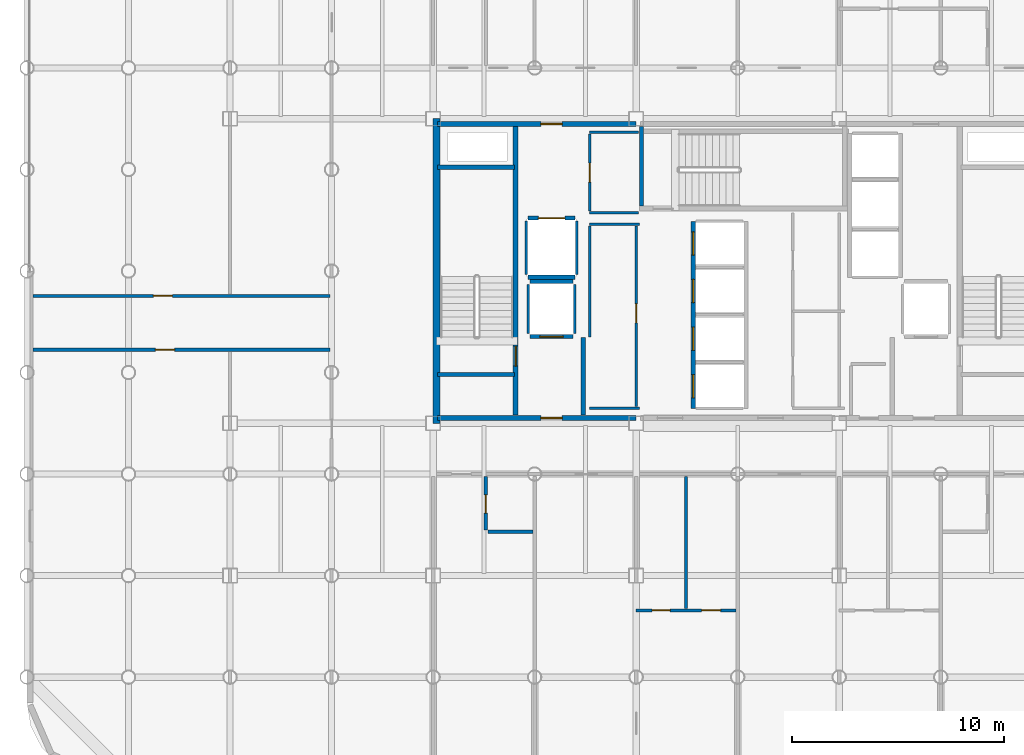
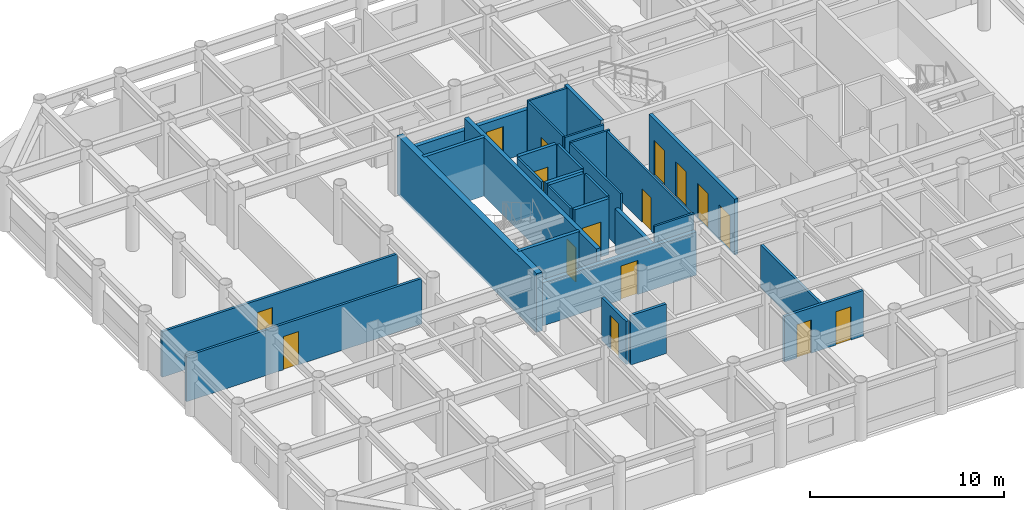
# One storey, part 16 of 20: 30 walls, 16 doors, 16 openings.
"""IFC4 building model written with IfcOpenShell, lengths in metres."""

from ifc_helpers import new_model, si_unit, direction, frame, frame_2d, origin, place, context, subcontext, project, spatial, rectangle, extrude, material, layer, layer_set, type_object, element, fill, save


model = new_model("IFC4")

# Units and contexts
model_context = context("Model", 3, precision=1e-05, world=origin(), true_north=direction((0.0, 1.0)))
body_context = subcontext(model_context, "Body", "Model", "MODEL_VIEW")
ifc_project = project(units=[si_unit("LENGTHUNIT", "METRE"), si_unit("AREAUNIT", "SQUARE_METRE"), si_unit("VOLUMEUNIT", "CUBIC_METRE"), si_unit("PLANEANGLEUNIT", "RADIAN"), si_unit("MASSUNIT", "GRAM", prefix="KILO")], contexts=[model_context])

# Site, building, storey
site_placement = place(None, origin())
site = spatial("IfcSite", under=ifc_project, at=site_placement, CompositionType="ELEMENT")
building_placement = place(site_placement, origin())
building = spatial("IfcBuilding", under=site, at=building_placement, Name="Kallvorn Hotel Tower", CompositionType="ELEMENT")
storey_placement = place(building_placement, frame((0.0, 0.0, 158.10009765625)))
storey = spatial("IfcBuildingStorey", under=building, at=storey_placement, Name="L39", CompositionType="ELEMENT", Elevation=158.10009765625)

# Wall
ifc_material_1 = material(Name="Concrete C50/60", Category="concrete")
ifc_layer_1 = layer(ifc_material_1, 0.35009765625)
ifc_layer_set_1 = layer_set([ifc_layer_1], Name="WL_CORE_350")
wall_type_1 = type_object("IfcWallType", Name="WL_CORE_350", PredefinedType="SHEAR", material=ifc_layer_set_1)
wall_1_placement = place(storey_placement, frame((-14.239990234375, -7.199951171875, -0.18017578125), z_axis=(0.0, 0.0, 1.0), x_axis=(0.0, 1.0, 0.0)))
element("IfcWall", 1, at=wall_1_placement, inside=storey, type_object=wall_type_1, Name="L39 Core West Shear Wall", PredefinedType="SHEAR", context=body_context, shape_type="SweptSolid", body=[
    extrude(rectangle(XDim=14.39990234375, YDim=0.35009765625, at=frame_2d((7.199951171875, 0.0))), origin(), (0.0, 0.0, 1.0), 3.7001953125),
])

# Wall, openings, doors
ifc_material_2 = material(Name="Fire-rated double-layer acoustic gypsum drywall EI 60")
ifc_layer_2 = layer(ifc_material_2, 0.159912109375)
ifc_layer_set_2 = layer_set([ifc_layer_2], Name="WL_DEMISE_160")
wall_type_2 = type_object("IfcWallType", Name="WL_DEMISE_160", PredefinedType="PARTITIONING", material=ifc_layer_set_2)
wall_2_placement = place(storey_placement, frame((-4.800048828125, -16.050048828125, 0.0), z_axis=(0.0, 0.0, 1.0), x_axis=(1.0, 0.0, 0.0)))
wall_2 = element("IfcWall", 2, at=wall_2_placement, inside=storey, type_object=wall_type_2, Name="L39 Suite 3902 Executive Bedroom Partition", PredefinedType="PARTITIONING", context=body_context, shape_type="SweptSolid", body=[
    extrude(rectangle(XDim=4.719970703125, YDim=0.159912109375, at=frame_2d((2.35986328125, 0.0))), origin(), (0.0, 0.0, 1.0), 2.869873046875),
])
opening_1_placement = place(wall_2_placement, frame((0.75, 0.0, 0.0)))
opening_1 = element("IfcOpeningElement", 3, at=opening_1_placement, cuts=wall_2, Name="Opening BD-I", PredefinedType="OPENING", context=body_context, shape_type="SweptSolid", body=[
    extrude(rectangle(XDim=0.860107421875, YDim=2.10009765625, at=frame_2d((0.43017578125, 1.050048828125))), frame((0.0, 0.094970703125, 0.0), z_axis=(0.0, -1.0, 0.0), x_axis=(1.0, 0.0, 0.0)), (0.0, 0.0, 1.0), 0.18994140625),
])
opening_2_placement = place(wall_2_placement, frame((3.090087890625, 0.0, 0.0)))
opening_2 = element("IfcOpeningElement", 4, at=opening_2_placement, cuts=wall_2, Name="Opening SVD1", PredefinedType="OPENING", context=body_context, shape_type="SweptSolid", body=[
    extrude(rectangle(XDim=0.89990234375, YDim=2.10009765625, at=frame_2d((0.449951171875, 1.050048828125))), frame((0.0, 0.094970703125, 0.0), z_axis=(0.0, -1.0, 0.0), x_axis=(1.0, 0.0, 0.0)), (0.0, 0.0, 1.0), 0.18994140625),
])
ifc_material_3 = material(Name="Solid-core walnut veneer fire-rated timber door leaf", Category="wood")
door_type_1 = type_object("IfcDoorType", Name="DR_BATH_860x2100", OperationType="NOTDEFINED", PredefinedType="DOOR", material=ifc_material_3)
door_1_placement = place(opening_1_placement, origin())
door_1 = element("IfcDoor", 5, at=door_1_placement, inside=storey, type_object=door_type_1, Name="L39 Suite 3902 En-Suite Bathroom Door", OperationType="SINGLE_SWING_LEFT", OverallHeight=2.10009765625, OverallWidth=0.860107421875, PredefinedType="DOOR", context=body_context, shape_type="SweptSolid", body=[
    extrude(rectangle(XDim=0.860107421875, YDim=2.10009765625, at=frame_2d((0.43017578125, 1.050048828125))), frame((0.0, 0.02490234375, 0.0), z_axis=(0.0, -1.0, 0.0), x_axis=(1.0, 0.0, 0.0)), (0.0, 0.0, 1.0), 0.050048828125),
])
fill(opening_1, door_1)
ifc_material_4 = material(Name="Galvanised painted steel fire-rated door assembly", Category="steel")
door_type_2 = type_object("IfcDoorType", Name="DR_SERV_900x2100", OperationType="NOTDEFINED", PredefinedType="DOOR", material=ifc_material_4)
door_2_placement = place(opening_2_placement, origin())
door_2 = element("IfcDoor", 6, at=door_2_placement, inside=storey, type_object=door_type_2, Name="L39 Suite 3902 Walk-In Dressing Closet Door", OperationType="SINGLE_SWING_LEFT", OverallHeight=2.10009765625, OverallWidth=0.89990234375, PredefinedType="DOOR", context=body_context, shape_type="SweptSolid", body=[
    extrude(rectangle(XDim=0.89990234375, YDim=2.10009765625, at=frame_2d((0.449951171875, 1.050048828125))), frame((0.0, 0.02490234375, 0.0), z_axis=(0.0, -1.0, 0.0), x_axis=(1.0, 0.0, 0.0)), (0.0, 0.0, 1.0), 0.050048828125),
])
fill(opening_2, door_2)

# Wall
wall_3_placement = place(storey_placement, frame((-11.81005859375, -12.320068359375, 0.0), z_axis=(0.0, 0.0, 1.0), x_axis=(1.0, 0.0, 0.0)))
element("IfcWall", 7, at=wall_3_placement, inside=storey, type_object=wall_type_2, Name="L39 Suite 3901 Superior Twin Room Partition", PredefinedType="PARTITIONING", context=body_context, shape_type="SweptSolid", body=[
    extrude(rectangle(XDim=2.130126953125, YDim=0.159912109375, at=frame_2d((1.06494140625, 0.0))), origin(), (0.0, 0.0, 1.0), 3.119873046875),
])

# Wall, opening, door
wall_4_placement = place(storey_placement, frame((-11.905029296875, -12.235107421875, 0.0), z_axis=(0.0, 0.0, 1.0), x_axis=(0.0, 1.0, 0.0)))
wall_4 = element("IfcWall", 8, at=wall_4_placement, inside=storey, type_object=wall_type_2, Name="L39 Suite 3901 Superior Twin Room Partition", PredefinedType="PARTITIONING", context=body_context, shape_type="SweptSolid", body=[
    extrude(rectangle(XDim=2.51513671875, YDim=0.159912109375, at=frame_2d((1.257568359375, 0.0))), origin(), (0.0, 0.0, 1.0), 2.719970703125),
])
opening_3_placement = place(wall_4_placement, frame((0.784912109375, 0.0, 0.0)))
opening_3 = element("IfcOpeningElement", 9, at=opening_3_placement, cuts=wall_4, Name="Opening BD-I", PredefinedType="OPENING", context=body_context, shape_type="SweptSolid", body=[
    extrude(rectangle(XDim=0.860107421875, YDim=2.10009765625, at=frame_2d((0.43017578125, 1.050048828125))), frame((0.0, 0.094970703125, 0.0), z_axis=(0.0, -1.0, 0.0), x_axis=(1.0, 0.0, 0.0)), (0.0, 0.0, 1.0), 0.18994140625),
])
door_3_placement = place(opening_3_placement, origin())
door_3 = element("IfcDoor", 10, at=door_3_placement, inside=storey, type_object=door_type_1, Name="L39 Suite 3901 En-Suite Bathroom Door", OperationType="SINGLE_SWING_RIGHT", OverallHeight=2.10009765625, OverallWidth=0.860107421875, PredefinedType="DOOR", context=body_context, shape_type="SweptSolid", body=[
    extrude(rectangle(XDim=0.860107421875, YDim=2.10009765625, at=frame_2d((0.43017578125, 1.050048828125))), frame((0.0, 0.02490234375, 0.0), z_axis=(0.0, -1.0, 0.0), x_axis=(1.0, 0.0, 0.0)), (0.0, 0.0, 1.0), 0.050048828125),
])
fill(opening_3, door_3)

# Walls
ifc_material_5 = material(Name="Concrete C40/50", Category="concrete")
ifc_layer_3 = layer(ifc_material_5, 0.219970703125)
ifc_layer_set_3 = layer_set([ifc_layer_3], Name="WL_FFL_220")
wall_type_3 = type_object("IfcWallType", Name="WL_FFL_220", PredefinedType="SOLIDWALL", material=ifc_layer_set_3)
wall_5_placement = place(storey_placement, frame((-7.300048828125, -6.820068359375, 0.0), z_axis=(0.0, 0.0, 1.0), x_axis=(0.0, 1.0, 0.0)))
element("IfcWall", 11, at=wall_5_placement, inside=storey, type_object=wall_type_3, Name="L39 Firefighting Lobby West Divider Wall", PredefinedType="SOLIDWALL", context=body_context, shape_type="SweptSolid", body=[
    extrude(rectangle(XDim=3.670166015625, YDim=0.219970703125, at=frame_2d((1.8349609375, 0.0))), origin(), (0.0, 0.0, 1.0), 2.719970703125),
])
ifc_material_6 = material(Name="Concrete C40/50", Category="concrete")
ifc_layer_4 = layer(ifc_material_6, 0.199951171875)
ifc_layer_set_4 = layer_set([ifc_layer_4], Name="WL_HOIST_200")
wall_type_4 = type_object("IfcWallType", Name="WL_HOIST_200", PredefinedType="SOLIDWALL", material=ifc_layer_set_4)
for number, where, z_axis, x_axis, name in (
    (12, (-14.199951171875, -4.89990234375, -0.18017578125), (0.0, 0.0, 1.0), (1.0, 0.0, 0.0), "L39 Stair ST1 South Wall"),
    (13, (-14.199951171875, 4.89990234375, -0.18017578125), (0.0, 0.0, 1.0), (1.0, 0.0, 0.0), "L39 Stair ST1 North Wall"),
):
    element("IfcWall", number, at=place(storey_placement, frame(where, z_axis=z_axis, x_axis=x_axis)), inside=storey, type_object=wall_type_4, Name=name, PredefinedType="SOLIDWALL", context=body_context, shape_type="SweptSolid", body=[
        extrude(rectangle(XDim=3.64990234375, YDim=0.199951171875, at=frame_2d((1.824951171875, 0.0))), origin(), (0.0, 0.0, 1.0), 3.7001953125),
    ])
wall_6_placement = place(storey_placement, frame((-4.550048828125, 3.080078125, -0.18017578125), z_axis=(0.0, 0.0, 1.0), x_axis=(0.0, 1.0, 0.0)))
element("IfcWall", 14, at=wall_6_placement, inside=storey, type_object=wall_type_4, Name="L39 Stair ST3 West Wall", PredefinedType="SOLIDWALL", context=body_context, shape_type="SweptSolid", body=[
    extrude(rectangle(XDim=3.739990234375, YDim=0.199951171875, at=frame_2d((1.8701171875, 0.0))), origin(), (0.0, 0.0, 1.0), 3.7001953125),
])

# Wall, openings, doors
wall_7_placement = place(storey_placement, frame((-2.10009765625, -6.5, 0.0), z_axis=(0.0, 0.0, 1.0), x_axis=(0.0, 1.0, 0.0)))
wall_7 = element("IfcWall", 15, at=wall_7_placement, inside=storey, type_object=wall_type_4, Name="L39 Lift Bank B2 Landing Wall", PredefinedType="SOLIDWALL", context=body_context, shape_type="SweptSolid", body=[
    extrude(rectangle(XDim=8.85009765625, YDim=0.199951171875, at=frame_2d((4.425048828125, 0.0))), origin(), (0.0, 0.0, 1.0), 3.52001953125),
])
opening_4_placement = place(wall_7_placement, frame((0.5, 0.0, 0.0)))
opening_4 = element("IfcOpeningElement", 16, at=opening_4_placement, cuts=wall_7, Name="Opening LD-PL-05", PredefinedType="OPENING", context=body_context, shape_type="SweptSolid", body=[
    extrude(rectangle(XDim=1.10009765625, YDim=2.199951171875, at=frame_2d((0.550048828125, 1.10009765625))), frame((0.0, 0.114990234375, 0.0), z_axis=(0.0, -1.0, 0.0), x_axis=(1.0, 0.0, 0.0)), (0.0, 0.0, 1.0), 0.22998046875),
])
opening_5_placement = place(wall_7_placement, frame((2.75, 0.0, 0.0)))
opening_5 = element("IfcOpeningElement", 17, at=opening_5_placement, cuts=wall_7, Name="Opening LD-PL-06", PredefinedType="OPENING", context=body_context, shape_type="SweptSolid", body=[
    extrude(rectangle(XDim=1.10009765625, YDim=2.199951171875, at=frame_2d((0.550048828125, 1.10009765625))), frame((0.0, 0.114990234375, 0.0), z_axis=(0.0, -1.0, 0.0), x_axis=(1.0, 0.0, 0.0)), (0.0, 0.0, 1.0), 0.22998046875),
])
opening_6_placement = place(wall_7_placement, frame((5.0, 0.0, 0.0)))
opening_6 = element("IfcOpeningElement", 18, at=opening_6_placement, cuts=wall_7, Name="Opening LD-PL-07", PredefinedType="OPENING", context=body_context, shape_type="SweptSolid", body=[
    extrude(rectangle(XDim=1.10009765625, YDim=2.199951171875, at=frame_2d((0.550048828125, 1.10009765625))), frame((0.0, 0.114990234375, 0.0), z_axis=(0.0, -1.0, 0.0), x_axis=(1.0, 0.0, 0.0)), (0.0, 0.0, 1.0), 0.22998046875),
])
opening_7_placement = place(wall_7_placement, frame((7.25, 0.0, 0.0)))
opening_7 = element("IfcOpeningElement", 19, at=opening_7_placement, cuts=wall_7, Name="Opening LD-PL-08", PredefinedType="OPENING", context=body_context, shape_type="SweptSolid", body=[
    extrude(rectangle(XDim=1.10009765625, YDim=2.199951171875, at=frame_2d((0.550048828125, 1.10009765625))), frame((0.0, 0.114990234375, 0.0), z_axis=(0.0, -1.0, 0.0), x_axis=(1.0, 0.0, 0.0)), (0.0, 0.0, 1.0), 0.22998046875),
])
ifc_material_7 = material(Name="Brushed stainless-steel automatic sliding lift landing door", Category="steel")
door_type_3 = type_object("IfcDoorType", Name="LD_PASS_1100x2200", OperationType="SLIDING_TO_LEFT", PredefinedType="DOOR", material=ifc_material_7)
door_4_placement = place(opening_4_placement, origin())
door_4 = element("IfcDoor", 20, at=door_4_placement, inside=storey, type_object=door_type_3, Name="L39 Lift Landing Sliding Door LD-PL-05", OperationType="SLIDING_TO_LEFT", OverallHeight=2.199951171875, OverallWidth=1.10009765625, PredefinedType="DOOR", context=body_context, shape_type="SweptSolid", body=[
    extrude(rectangle(XDim=1.10009765625, YDim=2.199951171875, at=frame_2d((0.550048828125, 1.10009765625))), frame((0.0, 0.02490234375, 0.0), z_axis=(0.0, -1.0, 0.0), x_axis=(1.0, 0.0, 0.0)), (0.0, 0.0, 1.0), 0.050048828125),
])
fill(opening_4, door_4)
door_5_placement = place(opening_5_placement, origin())
door_5 = element("IfcDoor", 21, at=door_5_placement, inside=storey, type_object=door_type_3, Name="L39 Lift Landing Sliding Door LD-PL-06", OperationType="SLIDING_TO_LEFT", OverallHeight=2.199951171875, OverallWidth=1.10009765625, PredefinedType="DOOR", context=body_context, shape_type="SweptSolid", body=[
    extrude(rectangle(XDim=1.10009765625, YDim=2.199951171875, at=frame_2d((0.550048828125, 1.10009765625))), frame((0.0, 0.02490234375, 0.0), z_axis=(0.0, -1.0, 0.0), x_axis=(1.0, 0.0, 0.0)), (0.0, 0.0, 1.0), 0.050048828125),
])
fill(opening_5, door_5)
door_6_placement = place(opening_6_placement, origin())
door_6 = element("IfcDoor", 22, at=door_6_placement, inside=storey, type_object=door_type_3, Name="L39 Lift Landing Sliding Door LD-PL-07", OperationType="SLIDING_TO_LEFT", OverallHeight=2.199951171875, OverallWidth=1.10009765625, PredefinedType="DOOR", context=body_context, shape_type="SweptSolid", body=[
    extrude(rectangle(XDim=1.10009765625, YDim=2.199951171875, at=frame_2d((0.550048828125, 1.10009765625))), frame((0.0, 0.02490234375, 0.0), z_axis=(0.0, -1.0, 0.0), x_axis=(1.0, 0.0, 0.0)), (0.0, 0.0, 1.0), 0.050048828125),
])
fill(opening_6, door_6)
door_7_placement = place(opening_7_placement, origin())
door_7 = element("IfcDoor", 23, at=door_7_placement, inside=storey, type_object=door_type_3, Name="L39 Lift Landing Sliding Door LD-PL-08", OperationType="SLIDING_TO_LEFT", OverallHeight=2.199951171875, OverallWidth=1.10009765625, PredefinedType="DOOR", context=body_context, shape_type="SweptSolid", body=[
    extrude(rectangle(XDim=1.10009765625, YDim=2.199951171875, at=frame_2d((0.550048828125, 1.10009765625))), frame((0.0, 0.02490234375, 0.0), z_axis=(0.0, -1.0, 0.0), x_axis=(1.0, 0.0, 0.0)), (0.0, 0.0, 1.0), 0.050048828125),
])
fill(opening_7, door_7)

# Wall, opening, door
wall_8_placement = place(storey_placement, frame((-9.820068359375, -3.10009765625, 0.0), z_axis=(0.0, 0.0, 1.0), x_axis=(1.0, 0.0, 0.0)))
wall_8 = element("IfcWall", 24, at=wall_8_placement, inside=storey, type_object=wall_type_4, Name="L39 FL-1 Landing Wall", PredefinedType="SOLIDWALL", context=body_context, shape_type="SweptSolid", body=[
    extrude(rectangle(XDim=2.0400390625, YDim=0.199951171875, at=frame_2d((1.02001953125, 0.0))), origin(), (0.0, 0.0, 1.0), 3.52001953125),
])
opening_8_placement = place(wall_8_placement, frame((0.469970703125, 0.0, 0.0)))
opening_8 = element("IfcOpeningElement", 25, at=opening_8_placement, cuts=wall_8, Name="Opening LD-FL-1", PredefinedType="OPENING", context=body_context, shape_type="SweptSolid", body=[
    extrude(rectangle(XDim=1.10009765625, YDim=2.199951171875, at=frame_2d((0.550048828125, 1.10009765625))), frame((0.0, 0.114990234375, 0.0), z_axis=(0.0, -1.0, 0.0), x_axis=(1.0, 0.0, 0.0)), (0.0, 0.0, 1.0), 0.22998046875),
])
door_8_placement = place(opening_8_placement, origin())
door_8 = element("IfcDoor", 26, at=door_8_placement, inside=storey, type_object=door_type_3, Name="L39 Lift Landing Sliding Door LD-FL-1", OperationType="SLIDING_TO_LEFT", OverallHeight=2.199951171875, OverallWidth=1.10009765625, PredefinedType="DOOR", context=body_context, shape_type="SweptSolid", body=[
    extrude(rectangle(XDim=1.10009765625, YDim=2.199951171875, at=frame_2d((0.550048828125, 1.10009765625))), frame((0.0, 0.02490234375, 0.0), z_axis=(0.0, -1.0, 0.0), x_axis=(1.0, 0.0, 0.0)), (0.0, 0.0, 1.0), 0.050048828125),
])
fill(opening_8, door_8)

# Wall
wall_9_placement = place(storey_placement, frame((-9.820068359375, -0.5, 0.0), z_axis=(0.0, 0.0, 1.0), x_axis=(1.0, 0.0, 0.0)))
element("IfcWall", 27, at=wall_9_placement, inside=storey, type_object=wall_type_4, Name="L39 FL-1 Rear Shaft Wall", PredefinedType="SOLIDWALL", context=body_context, shape_type="SweptSolid", body=[
    extrude(rectangle(XDim=2.0400390625, YDim=0.199951171875, at=frame_2d((1.02001953125, 0.0))), origin(), (0.0, 0.0, 1.0), 3.52001953125),
])

# Wall, opening, door
wall_10_placement = place(storey_placement, frame((-9.919921875, 2.5, 0.0), z_axis=(0.0, 0.0, 1.0), x_axis=(1.0, 0.0, 0.0)))
wall_10 = element("IfcWall", 28, at=wall_10_placement, inside=storey, type_object=wall_type_4, Name="L39 SV-01 Landing Wall", PredefinedType="SOLIDWALL", context=body_context, shape_type="SweptSolid", body=[
    extrude(rectangle(XDim=2.239990234375, YDim=0.199951171875, at=frame_2d((1.1201171875, 0.0))), origin(), (0.0, 0.0, 1.0), 3.52001953125),
])
opening_9_placement = place(wall_10_placement, frame((0.4951171875, 0.0, 0.0)))
opening_9 = element("IfcOpeningElement", 29, at=opening_9_placement, cuts=wall_10, Name="Opening LD-SV-01", PredefinedType="OPENING", context=body_context, shape_type="SweptSolid", body=[
    extrude(rectangle(XDim=1.25, YDim=2.25, at=frame_2d((0.625, 1.125))), frame((0.0, 0.114990234375, 0.0), z_axis=(0.0, -1.0, 0.0), x_axis=(1.0, 0.0, 0.0)), (0.0, 0.0, 1.0), 0.22998046875),
])
ifc_material_8 = material(Name="Brushed stainless-steel automatic sliding lift landing door", Category="steel")
door_type_4 = type_object("IfcDoorType", Name="LD_SERV_1250x2250", OperationType="SLIDING_TO_LEFT", PredefinedType="DOOR", material=ifc_material_8)
door_9_placement = place(opening_9_placement, origin())
door_9 = element("IfcDoor", 30, at=door_9_placement, inside=storey, type_object=door_type_4, Name="L39 Lift Landing Sliding Door LD-SV-01", OperationType="SLIDING_TO_LEFT", OverallHeight=2.25, OverallWidth=1.25, PredefinedType="DOOR", context=body_context, shape_type="SweptSolid", body=[
    extrude(rectangle(XDim=1.25, YDim=2.25, at=frame_2d((0.625, 1.125))), frame((0.0, 0.02490234375, 0.0), z_axis=(0.0, -1.0, 0.0), x_axis=(1.0, 0.0, 0.0)), (0.0, 0.0, 1.0), 0.050048828125),
])
fill(opening_9, door_9)

# Walls
wall_11_placement = place(storey_placement, frame((-9.919921875, -0.300048828125, 0.0), z_axis=(0.0, 0.0, 1.0), x_axis=(1.0, 0.0, 0.0)))
element("IfcWall", 31, at=wall_11_placement, inside=storey, type_object=wall_type_4, Name="L39 SV-01 Rear Shaft Wall", PredefinedType="SOLIDWALL", context=body_context, shape_type="SweptSolid", body=[
    extrude(rectangle(XDim=2.239990234375, YDim=0.199951171875, at=frame_2d((1.1201171875, 0.0))), origin(), (0.0, 0.0, 1.0), 3.52001953125),
])
ifc_material_9 = material(Name="Fire-rated double-layer acoustic gypsum drywall EI 60")
ifc_layer_5 = layer(ifc_material_9, 0.1201171875)
ifc_layer_set_5 = layer_set([ifc_layer_5], Name="WL_INT_120")
wall_type_5 = type_object("IfcWallType", Name="WL_INT_120", PredefinedType="PARTITIONING", material=ifc_layer_set_5)
for number, where, z_axis, x_axis, name in (
    (32, (-9.89990234375, -2.9599609375, 0.0), (0.0, 0.0, 1.0), (0.0, 1.0, 0.0), "L39 FL-1 West Shaft Wall"),
    (33, (-7.699951171875, -2.9599609375, 0.0), (0.0, 0.0, 1.0), (0.0, 1.0, 0.0), "L39 FL-1 East Shaft Wall"),
):
    element("IfcWall", number, at=place(storey_placement, frame(where, z_axis=z_axis, x_axis=x_axis)), inside=storey, type_object=wall_type_5, Name=name, PredefinedType="PARTITIONING", context=body_context, shape_type="SweptSolid", body=[
        extrude(rectangle(XDim=2.320068359375, YDim=0.1201171875, at=frame_2d((1.16015625, 0.0))), origin(), (0.0, 0.0, 1.0), 3.52001953125),
    ])
for number, where, z_axis, x_axis, name in (
    (34, (-10.0, -0.159912109375, 0.0), (0.0, 0.0, 1.0), (0.0, 1.0, 0.0), "L39 SV-01 West Shaft Wall"),
    (35, (-7.60009765625, -0.159912109375, 0.0), (0.0, 0.0, 1.0), (0.0, 1.0, 0.0), "L39 SV-01 East Shaft Wall"),
):
    element("IfcWall", number, at=place(storey_placement, frame(where, z_axis=z_axis, x_axis=x_axis)), inside=storey, type_object=wall_type_5, Name=name, PredefinedType="PARTITIONING", context=body_context, shape_type="SweptSolid", body=[
        extrude(rectangle(XDim=2.52001953125, YDim=0.1201171875, at=frame_2d((1.260009765625, 0.0))), origin(), (0.0, 0.0, 1.0), 3.52001953125),
    ])
for number, where, z_axis, x_axis, name in (
    (36, (-7.0, -6.5, 0.0), (0.0, 0.0, 1.0), (1.0, 0.0, 0.0), "L39 Recaptured Butler and Room-Service Pantry Partition"),
    (37, (-7.0, 2.199951171875, 0.0), (0.0, 0.0, 1.0), (1.0, 0.0, 0.0), "L39 Recaptured Butler and Room-Service Pantry Partition"),
):
    element("IfcWall", number, at=place(storey_placement, frame(where, z_axis=z_axis, x_axis=x_axis)), inside=storey, type_object=wall_type_5, Name=name, PredefinedType="PARTITIONING", context=body_context, shape_type="SweptSolid", body=[
        extrude(rectangle(XDim=2.35009765625, YDim=0.1201171875, at=frame_2d((1.175048828125, 0.0))), origin(), (0.0, 0.0, 1.0), 3.52001953125),
    ])
for number, where, z_axis, x_axis, name in (
    (38, (-7.0, 2.75, 0.0), (0.0, 0.0, 1.0), (1.0, 0.0, 0.0), "L39 Recaptured Valet and Linen Reserve Store Partition"),
    (39, (-7.0, 6.550048828125, 0.0), (0.0, 0.0, 1.0), (1.0, 0.0, 0.0), "L39 Recaptured Valet and Linen Reserve Store Partition"),
):
    element("IfcWall", number, at=place(storey_placement, frame(where, z_axis=z_axis, x_axis=x_axis)), inside=storey, type_object=wall_type_5, Name=name, PredefinedType="PARTITIONING", context=body_context, shape_type="SweptSolid", body=[
        extrude(rectangle(XDim=2.31005859375, YDim=0.1201171875, at=frame_2d((1.155029296875, 0.0))), origin(), (0.0, 0.0, 1.0), 3.52001953125),
    ])
wall_12_placement = place(storey_placement, frame((-7.0, -3.110107421875, 0.0), z_axis=(0.0, 0.0, 1.0), x_axis=(0.0, 1.0, 0.0)))
element("IfcWall", 40, at=wall_12_placement, inside=storey, type_object=wall_type_5, Name="L39 Recaptured Butler and Room-Service Pantry Partition", PredefinedType="PARTITIONING", context=body_context, shape_type="SweptSolid", body=[
    extrude(rectangle(XDim=5.22509765625, YDim=0.1201171875, at=frame_2d((2.612548828125, 0.0))), origin(), (0.0, 0.0, 1.0), 3.52001953125),
])

# Wall, opening, door
wall_13_placement = place(storey_placement, frame((-7.0, 2.8349609375, 0.0), z_axis=(0.0, 0.0, 1.0), x_axis=(0.0, 1.0, 0.0)))
wall_13 = element("IfcWall", 41, at=wall_13_placement, inside=storey, type_object=wall_type_5, Name="L39 Recaptured Valet and Linen Reserve Store Partition", PredefinedType="PARTITIONING", context=body_context, shape_type="SweptSolid", body=[
    extrude(rectangle(XDim=3.630126953125, YDim=0.1201171875, at=frame_2d((1.81494140625, 0.0))), origin(), (0.0, 0.0, 1.0), 3.52001953125),
])
opening_10_placement = place(wall_13_placement, frame((1.364990234375, 0.0, 0.0)))
opening_10 = element("IfcOpeningElement", 42, at=opening_10_placement, cuts=wall_13, Name="Opening SVD1", PredefinedType="OPENING", context=body_context, shape_type="SweptSolid", body=[
    extrude(rectangle(XDim=0.89990234375, YDim=2.10009765625, at=frame_2d((0.449951171875, 1.050048828125))), frame((0.0, 0.074951171875, 0.0), z_axis=(0.0, -1.0, 0.0), x_axis=(1.0, 0.0, 0.0)), (0.0, 0.0, 1.0), 0.150146484375),
])
door_10_placement = place(opening_10_placement, origin())
door_10 = element("IfcDoor", 43, at=door_10_placement, inside=storey, type_object=door_type_2, Name="L39 Recaptured Valet and Linen Reserve Store Door", OperationType="SINGLE_SWING_LEFT", OverallHeight=2.10009765625, OverallWidth=0.89990234375, PredefinedType="DOOR", context=body_context, shape_type="SweptSolid", body=[
    extrude(rectangle(XDim=0.89990234375, YDim=2.10009765625, at=frame_2d((0.449951171875, 1.050048828125))), frame((0.0, 0.02490234375, 0.0), z_axis=(0.0, -1.0, 0.0), x_axis=(1.0, 0.0, 0.0)), (0.0, 0.0, 1.0), 0.050048828125),
])
fill(opening_10, door_10)

wall_14_placement = place(storey_placement, frame((-4.800048828125, -6.4150390625, 0.0), z_axis=(0.0, 0.0, 1.0), x_axis=(0.0, 1.0, 0.0)))
wall_14 = element("IfcWall", 44, at=wall_14_placement, inside=storey, type_object=wall_type_5, Name="L39 Recaptured Butler and Room-Service Pantry Partition", PredefinedType="PARTITIONING", context=body_context, shape_type="SweptSolid", body=[
    extrude(rectangle(XDim=8.530029296875, YDim=0.1201171875, at=frame_2d((4.26513671875, 0.0))), origin(), (0.0, 0.0, 1.0), 3.52001953125),
])
opening_11_placement = place(wall_14_placement, frame((3.965087890625, 0.0, 0.0)))
opening_11 = element("IfcOpeningElement", 45, at=opening_11_placement, cuts=wall_14, Name="Opening SVD1", PredefinedType="OPENING", context=body_context, shape_type="SweptSolid", body=[
    extrude(rectangle(XDim=0.89990234375, YDim=2.10009765625, at=frame_2d((0.449951171875, 1.050048828125))), frame((0.0, 0.074951171875, 0.0), z_axis=(0.0, -1.0, 0.0), x_axis=(1.0, 0.0, 0.0)), (0.0, 0.0, 1.0), 0.150146484375),
])
door_11_placement = place(opening_11_placement, origin())
door_11 = element("IfcDoor", 46, at=door_11_placement, inside=storey, type_object=door_type_2, Name="L39 Recaptured Butler and Room-Service Pantry Door", OperationType="SINGLE_SWING_RIGHT", OverallHeight=2.10009765625, OverallWidth=0.89990234375, PredefinedType="DOOR", context=body_context, shape_type="SweptSolid", body=[
    extrude(rectangle(XDim=0.89990234375, YDim=2.10009765625, at=frame_2d((0.449951171875, 1.050048828125))), frame((0.0, 0.02490234375, 0.0), z_axis=(0.0, -1.0, 0.0), x_axis=(1.0, 0.0, 0.0)), (0.0, 0.0, 1.0), 0.050048828125),
])
fill(opening_11, door_11)

ifc_material_10 = material(Name="Fire-rated double-layer acoustic gypsum drywall EI 60")
ifc_layer_6 = layer(ifc_material_10, 0.14990234375)
ifc_layer_set_6 = layer_set([ifc_layer_6], Name="WL_PART_150")
wall_type_6 = type_object("IfcWallType", Name="WL_PART_150", PredefinedType="PARTITIONING", material=ifc_layer_set_6)
wall_15_placement = place(storey_placement, frame((-33.31005859375, -3.719970703125, 0.0), z_axis=(0.0, 0.0, 1.0), x_axis=(1.0, 0.0, 0.0)))
wall_15 = element("IfcWall", 47, at=wall_15_placement, inside=storey, type_object=wall_type_6, Name="L39 L39 Outer South-West Tea Bar Partition", PredefinedType="PARTITIONING", context=body_context, shape_type="SweptSolid", body=[
    extrude(rectangle(XDim=14.030029296875, YDim=0.14990234375, at=frame_2d((7.01513671875, 0.0))), origin(), (0.0, 0.0, 1.0), 2.869873046875),
])
opening_12_placement = place(wall_15_placement, frame((5.78515625, 0.0, 0.0)))
opening_12 = element("IfcOpeningElement", 48, at=opening_12_placement, cuts=wall_15, Name="Opening SVD1", PredefinedType="OPENING", context=body_context, shape_type="SweptSolid", body=[
    extrude(rectangle(XDim=0.89990234375, YDim=2.10009765625, at=frame_2d((0.449951171875, 1.050048828125))), frame((0.0, 0.08984375, 0.0), z_axis=(0.0, -1.0, 0.0), x_axis=(1.0, 0.0, 0.0)), (0.0, 0.0, 1.0), 0.179931640625),
])
door_12_placement = place(opening_12_placement, origin())
door_12 = element("IfcDoor", 49, at=door_12_placement, inside=storey, type_object=door_type_2, Name="L39 L39 Outer South-West Tea Bar Door", OperationType="SINGLE_SWING_RIGHT", OverallHeight=2.10009765625, OverallWidth=0.89990234375, PredefinedType="DOOR", context=body_context, shape_type="SweptSolid", body=[
    extrude(rectangle(XDim=0.89990234375, YDim=2.10009765625, at=frame_2d((0.449951171875, 1.050048828125))), frame((0.0, 0.02490234375, 0.0), z_axis=(0.0, -1.0, 0.0), x_axis=(1.0, 0.0, 0.0)), (0.0, 0.0, 1.0), 0.050048828125),
])
fill(opening_12, door_12)

wall_16_placement = place(storey_placement, frame((-33.31005859375, -1.179931640625, 0.0), z_axis=(0.0, 0.0, 1.0), x_axis=(1.0, 0.0, 0.0)))
wall_16 = element("IfcWall", 50, at=wall_16_placement, inside=storey, type_object=wall_type_6, Name="L39 L39 Outer North-West Fitness Gymnasium Partition", PredefinedType="PARTITIONING", context=body_context, shape_type="SweptSolid", body=[
    extrude(rectangle(XDim=14.030029296875, YDim=0.14990234375, at=frame_2d((7.01513671875, 0.0))), origin(), (0.0, 0.0, 1.0), 2.869873046875),
])
opening_13_placement = place(wall_16_placement, frame((5.685791015625, 0.0, 0.0)))
opening_13 = element("IfcOpeningElement", 51, at=opening_13_placement, cuts=wall_16, Name="Opening SVD1", PredefinedType="OPENING", context=body_context, shape_type="SweptSolid", body=[
    extrude(rectangle(XDim=0.89990234375, YDim=2.10009765625, at=frame_2d((0.449951171875, 1.050048828125))), frame((0.0, 0.08984375, 0.0), z_axis=(0.0, -1.0, 0.0), x_axis=(1.0, 0.0, 0.0)), (0.0, 0.0, 1.0), 0.179931640625),
])
door_13_placement = place(opening_13_placement, origin())
door_13 = element("IfcDoor", 52, at=door_13_placement, inside=storey, type_object=door_type_2, Name="L39 L39 Outer North-West Fitness Gymnasium Door", OperationType="SINGLE_SWING_RIGHT", OverallHeight=2.10009765625, OverallWidth=0.89990234375, PredefinedType="DOOR", context=body_context, shape_type="SweptSolid", body=[
    extrude(rectangle(XDim=0.89990234375, YDim=2.10009765625, at=frame_2d((0.449951171875, 1.050048828125))), frame((0.0, 0.02490234375, 0.0), z_axis=(0.0, -1.0, 0.0), x_axis=(1.0, 0.0, 0.0)), (0.0, 0.0, 1.0), 0.050048828125),
])
fill(opening_13, door_13)

# Wall
wall_17_placement = place(storey_placement, frame((-2.43994140625, -15.965087890625, 0.0), z_axis=(0.0, 0.0, 1.0), x_axis=(0.0, 1.0, 0.0)))
element("IfcWall", 53, at=wall_17_placement, inside=storey, type_object=wall_type_6, Name="L39 Suite 3902 Walk-In Dressing Closet Partition", PredefinedType="PARTITIONING", context=body_context, shape_type="SweptSolid", body=[
    extrude(rectangle(XDim=6.2451171875, YDim=0.14990234375, at=frame_2d((3.12255859375, 0.0))), origin(), (0.0, 0.0, 1.0), 2.719970703125),
])

# Wall, opening, door
ifc_material_11 = material(Name="Concrete C40/50", Category="concrete")
ifc_layer_7 = layer(ifc_material_11, 0.25)
ifc_layer_set_7 = layer_set([ifc_layer_7], Name="WL_SHAFT_250")
wall_type_7 = type_object("IfcWallType", Name="WL_SHAFT_250", PredefinedType="SOLIDWALL", material=ifc_layer_set_7)
wall_18_placement = place(storey_placement, frame((-14.199951171875, -6.949951171875, 0.0), z_axis=(0.0, 0.0, 1.0), x_axis=(1.0, 0.0, 0.0)))
wall_18 = element("IfcWall", 54, at=wall_18_placement, inside=storey, type_object=wall_type_7, Name="L39 Core South-West Wall", PredefinedType="SOLIDWALL", context=body_context, shape_type="SweptSolid", body=[
    extrude(rectangle(XDim=9.39990234375, YDim=0.25, at=frame_2d((4.699951171875, 0.0))), origin(), (0.0, 0.0, 1.0), 2.719970703125),
])
opening_14_placement = place(wall_18_placement, frame((4.89990234375, 0.0, 0.0)))
opening_14 = element("IfcOpeningElement", 55, at=opening_14_placement, cuts=wall_18, Name="Opening FD1", PredefinedType="OPENING", context=body_context, shape_type="SweptSolid", body=[
    extrude(rectangle(XDim=1.0, YDim=2.14990234375, at=frame_2d((0.5, 1.074951171875))), frame((0.0, 0.139892578125, 0.0), z_axis=(0.0, -1.0, 0.0), x_axis=(1.0, 0.0, 0.0)), (0.0, 0.0, 1.0), 0.280029296875),
])
ifc_material_12 = material(Name="Galvanised painted steel fire-rated door assembly", Category="steel")
door_type_5 = type_object("IfcDoorType", Name="DR_FFL_1000x2150", OperationType="NOTDEFINED", PredefinedType="DOOR", material=ifc_material_12)
door_14_placement = place(opening_14_placement, origin())
door_14 = element("IfcDoor", 56, at=door_14_placement, inside=storey, type_object=door_type_5, Name="L39 Firefighting Lobby West Door", OperationType="SINGLE_SWING_LEFT", OverallHeight=2.14990234375, OverallWidth=1.0, PredefinedType="DOOR", context=body_context, shape_type="SweptSolid", body=[
    extrude(rectangle(XDim=1.0, YDim=2.14990234375, at=frame_2d((0.5, 1.074951171875))), frame((0.0, 0.02490234375, 0.0), z_axis=(0.0, -1.0, 0.0), x_axis=(1.0, 0.0, 0.0)), (0.0, 0.0, 1.0), 0.050048828125),
])
fill(opening_14, door_14)

wall_19_placement = place(storey_placement, frame((-14.199951171875, 6.949951171875, 0.0), z_axis=(0.0, 0.0, 1.0), x_axis=(1.0, 0.0, 0.0)))
wall_19 = element("IfcWall", 57, at=wall_19_placement, inside=storey, type_object=wall_type_7, Name="L39 Core North-West Wall", PredefinedType="SOLIDWALL", context=body_context, shape_type="SweptSolid", body=[
    extrude(rectangle(XDim=9.39990234375, YDim=0.25, at=frame_2d((4.699951171875, 0.0))), origin(), (0.0, 0.0, 1.0), 2.719970703125),
])
opening_15_placement = place(wall_19_placement, frame((4.89990234375, 0.0, 0.0)))
opening_15 = element("IfcOpeningElement", 58, at=opening_15_placement, cuts=wall_19, Name="Opening FD1", PredefinedType="OPENING", context=body_context, shape_type="SweptSolid", body=[
    extrude(rectangle(XDim=1.0, YDim=2.14990234375, at=frame_2d((0.5, 1.074951171875))), frame((0.0, 0.139892578125, 0.0), z_axis=(0.0, -1.0, 0.0), x_axis=(1.0, 0.0, 0.0)), (0.0, 0.0, 1.0), 0.280029296875),
])
door_15_placement = place(opening_15_placement, origin())
door_15 = element("IfcDoor", 59, at=door_15_placement, inside=storey, type_object=door_type_5, Name="L39 Service Lift Lobby Door", OperationType="SINGLE_SWING_RIGHT", OverallHeight=2.14990234375, OverallWidth=1.0, PredefinedType="DOOR", context=body_context, shape_type="SweptSolid", body=[
    extrude(rectangle(XDim=1.0, YDim=2.14990234375, at=frame_2d((0.5, 1.074951171875))), frame((0.0, 0.02490234375, 0.0), z_axis=(0.0, -1.0, 0.0), x_axis=(1.0, 0.0, 0.0)), (0.0, 0.0, 1.0), 0.050048828125),
])
fill(opening_15, door_15)

wall_20_placement = place(storey_placement, frame((-10.5, -6.820068359375, -0.18017578125), z_axis=(0.0, 0.0, 1.0), x_axis=(0.0, 1.0, 0.0)))
wall_20 = element("IfcWall", 60, at=wall_20_placement, inside=storey, type_object=wall_type_7, Name="L39 Stair ST1 Shaft Wall", PredefinedType="SOLIDWALL", context=body_context, shape_type="SweptSolid", body=[
    extrude(rectangle(XDim=13.64013671875, YDim=0.25, at=frame_2d((6.820068359375, 0.0))), origin(), (0.0, 0.0, 1.0), 3.7001953125),
])
opening_16_placement = place(wall_20_placement, frame((2.320068359375, 0.0, 0.179931640625)))
opening_16 = element("IfcOpeningElement", 61, at=opening_16_placement, cuts=wall_20, Name="Opening SD1", PredefinedType="OPENING", context=body_context, shape_type="SweptSolid", body=[
    extrude(rectangle(XDim=0.949951171875, YDim=2.14990234375, at=frame_2d((0.47509765625, 1.074951171875))), frame((0.0, 0.139892578125, 0.0), z_axis=(0.0, -1.0, 0.0), x_axis=(1.0, 0.0, 0.0)), (0.0, 0.0, 1.0), 0.280029296875),
])
ifc_material_13 = material(Name="Galvanised painted steel fire-rated door assembly", Category="steel")
door_type_6 = type_object("IfcDoorType", Name="DR_STAIR_950x2150", OperationType="NOTDEFINED", PredefinedType="DOOR", material=ifc_material_13)
door_16_placement = place(opening_16_placement, origin())
door_16 = element("IfcDoor", 62, at=door_16_placement, inside=storey, type_object=door_type_6, Name="L39 Exit Stair ST1 Fire Door", OperationType="SINGLE_SWING_LEFT", OverallHeight=2.14990234375, OverallWidth=0.949951171875, PredefinedType="DOOR", context=body_context, shape_type="SweptSolid", body=[
    extrude(rectangle(XDim=0.949951171875, YDim=2.14990234375, at=frame_2d((0.47509765625, 1.074951171875))), frame((0.0, 0.02490234375, 0.0), z_axis=(0.0, -1.0, 0.0), x_axis=(1.0, 0.0, 0.0)), (0.0, 0.0, 1.0), 0.050048828125),
])
fill(opening_16, door_16)

save(model, "model.ifc")
